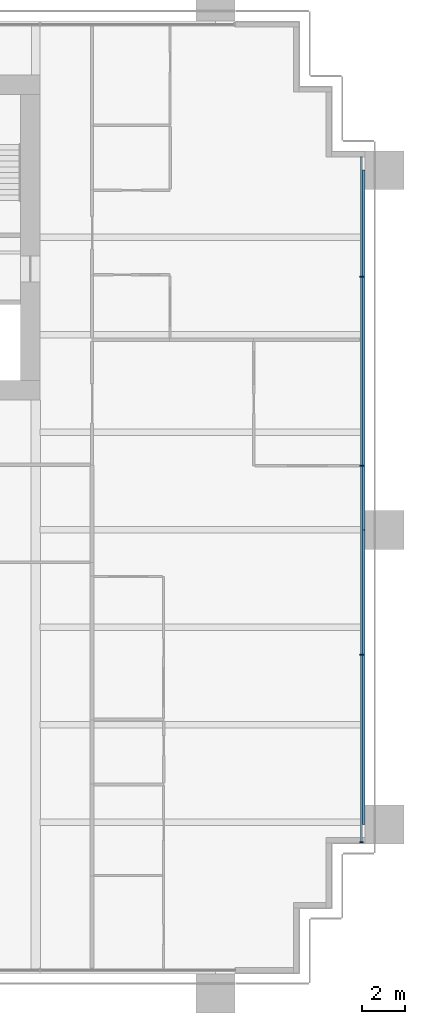
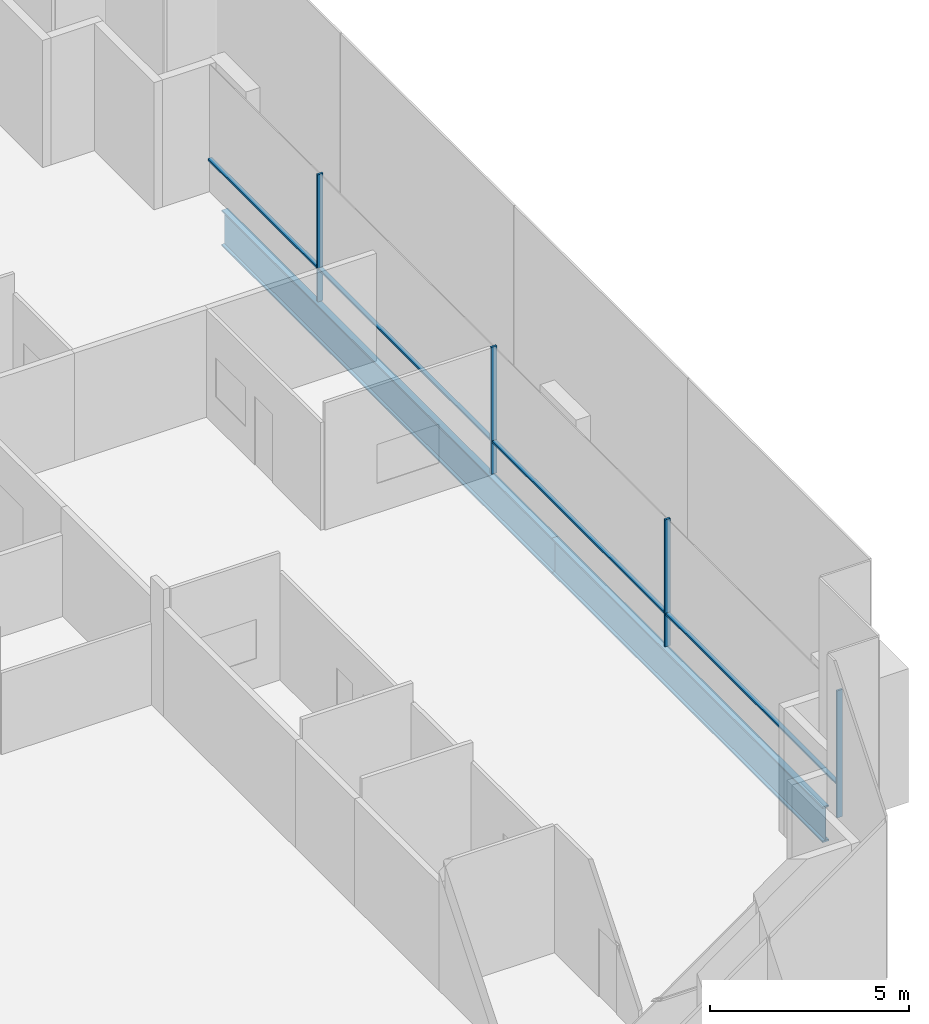
# One storey, part 9 of 18: 8 members, 2 beams, 1 element without a shape of its own.
"""IFC4 building model written with IfcOpenShell, lengths in metres."""

from ifc_helpers import new_model, si_unit, direction, frame, origin, origin_2d, place, context, subcontext, project, spatial, rectangle, i_section, extrude, material, material_profile, profile_set, type_object, element, aggregate, save


model = new_model("IFC4")

# Units and contexts
model_context = context("Model", 3, precision=1e-05, world=origin(), true_north=direction((0.0, 1.0)))
body_context = subcontext(model_context, "Body", "Model", "MODEL_VIEW")
ifc_project = project(units=[si_unit("LENGTHUNIT", "METRE"), si_unit("AREAUNIT", "SQUARE_METRE"), si_unit("VOLUMEUNIT", "CUBIC_METRE"), si_unit("PLANEANGLEUNIT", "RADIAN"), si_unit("MASSUNIT", "GRAM", prefix="KILO")], contexts=[model_context])

# Site, building, storey
site_placement = place(None, origin())
site = spatial("IfcSite", under=ifc_project, at=site_placement, CompositionType="ELEMENT")
building_placement = place(site_placement, origin())
building = spatial("IfcBuilding", under=site, at=building_placement, Name="Rattan Terrace Tower", CompositionType="ELEMENT")
storey_placement = place(building_placement, frame((0.0, 0.0, 32.39990234375)))
storey = spatial("IfcBuildingStorey", under=building, at=storey_placement, Name="L06", CompositionType="ELEMENT", Elevation=32.39990234375)

# Curtain wall, members
ifc_material_1 = material(Name="Aluminium and glass", Category="aluminium")
curtain_wall_type = type_object("IfcCurtainWallType", Name="Facade Unitised Curtain Wall", PredefinedType="NOTDEFINED", material=ifc_material_1)
curtain_wall_placement = place(storey_placement, origin())
curtain_wall = element("IfcCurtainWall", 1, at=curtain_wall_placement, inside=storey, type_object=curtain_wall_type, Name="Curtain wall L06-1", PredefinedType="NOTDEFINED")
ifc_material_2 = material(Name="Aluminium", Category="aluminium")
ifc_material_profile_1 = material_profile(ifc_material_2, rectangle(XDim=0.06005859375, YDim=0.159912109375, at=origin_2d()), Name="Aluminium 60x160")
ifc_profile_set_1 = profile_set([ifc_material_profile_1], Name="Aluminium")
member_type_1 = type_object("IfcMemberType", Name="Facade CW Mullion 60x160", PredefinedType="MULLION", material=ifc_profile_set_1)
member_1_placement = place(storey_placement, frame((32.830078125, -27.925048828125, 0.0), z_axis=(0.0, 0.0, 1.0), x_axis=(0.0, 1.0, 0.0)))
member_1 = element("IfcMember", 2, at=member_1_placement, type_object=member_type_1, Name="Mullion cwl-L06-001.1", PredefinedType="MULLION", context=body_context, shape_type="SweptSolid", body=[
    extrude(rectangle(XDim=0.06005859375, YDim=0.159912109375, at=origin_2d()), origin(), (0.0, 0.0, 1.0), 3.900146484375),
])
member_2_placement = place(storey_placement, frame((32.830078125, -19.27294921875, 0.0), z_axis=(0.0, 0.0, 1.0), x_axis=(0.0, 1.0, 0.0)))
member_2 = element("IfcMember", 3, at=member_2_placement, type_object=member_type_1, Name="Mullion cwl-L06-001.2", PredefinedType="MULLION", context=body_context, shape_type="SweptSolid", body=[
    extrude(rectangle(XDim=0.06005859375, YDim=0.159912109375, at=origin_2d()), origin(), (0.0, 0.0, 1.0), 3.900146484375),
])
member_3_placement = place(storey_placement, frame((32.830078125, -10.5458984375, 0.0), z_axis=(0.0, 0.0, 1.0), x_axis=(0.0, 1.0, 0.0)))
member_3 = element("IfcMember", 4, at=member_3_placement, type_object=member_type_1, Name="Mullion cwl-L06-001.3", PredefinedType="MULLION", context=body_context, shape_type="SweptSolid", body=[
    extrude(rectangle(XDim=0.06005859375, YDim=0.159912109375, at=origin_2d()), origin(), (0.0, 0.0, 1.0), 3.900146484375),
])
member_4_placement = place(storey_placement, frame((32.830078125, -1.819091796875, 0.0), z_axis=(0.0, 0.0, 1.0), x_axis=(0.0, 1.0, 0.0)))
member_4 = element("IfcMember", 5, at=member_4_placement, type_object=member_type_1, Name="Mullion cwl-L06-001.4", PredefinedType="MULLION", context=body_context, shape_type="SweptSolid", body=[
    extrude(rectangle(XDim=0.06005859375, YDim=0.159912109375, at=origin_2d()), origin(), (0.0, 0.0, 1.0), 3.900146484375),
])
ifc_material_3 = material(Name="Aluminium", Category="aluminium")
ifc_material_profile_2 = material_profile(ifc_material_3, rectangle(XDim=0.1201171875, YDim=0.06005859375, at=origin_2d()), Name="Aluminium 120x60")
ifc_profile_set_2 = profile_set([ifc_material_profile_2], Name="Aluminium")
member_type_2 = type_object("IfcMemberType", Name="Facade CW Transom 120x60", PredefinedType="USERDEFINED", material=ifc_profile_set_2)
member_5_placement = place(storey_placement, frame((32.830078125, -27.89501953125, 1.0), z_axis=(0.0, 1.0, 0.0), x_axis=(-1.0, 0.0, 0.0)))
member_5 = element("IfcMember", 6, at=member_5_placement, type_object=member_type_2, Name="Transom cwl-L06-001.1", ObjectType="TRANSOM", PredefinedType="USERDEFINED", context=body_context, shape_type="SweptSolid", body=[
    extrude(rectangle(XDim=0.1201171875, YDim=0.06005859375, at=origin_2d()), origin(), (0.0, 0.0, 1.0), 8.592041015625),
])
member_6_placement = place(storey_placement, frame((32.830078125, -19.242919921875, 1.0), z_axis=(0.0, 1.0, 0.0), x_axis=(-1.0, 0.0, 0.0)))
member_6 = element("IfcMember", 7, at=member_6_placement, type_object=member_type_2, Name="Transom cwl-L06-001.2", ObjectType="TRANSOM", PredefinedType="USERDEFINED", context=body_context, shape_type="SweptSolid", body=[
    extrude(rectangle(XDim=0.1201171875, YDim=0.06005859375, at=origin_2d()), origin(), (0.0, 0.0, 1.0), 8.6669921875),
])
member_7_placement = place(storey_placement, frame((32.830078125, -10.51611328125, 1.0), z_axis=(0.0, 1.0, 0.0), x_axis=(-1.0, 0.0, 0.0)))
member_7 = element("IfcMember", 8, at=member_7_placement, type_object=member_type_2, Name="Transom cwl-L06-001.3", ObjectType="TRANSOM", PredefinedType="USERDEFINED", context=body_context, shape_type="SweptSolid", body=[
    extrude(rectangle(XDim=0.1201171875, YDim=0.06005859375, at=origin_2d()), origin(), (0.0, 0.0, 1.0), 8.6669921875),
])
member_8_placement = place(storey_placement, frame((32.830078125, -1.7890625, 1.0), z_axis=(0.0, 1.0, 0.0), x_axis=(-1.0, 0.0, 0.0)))
member_8 = element("IfcMember", 9, at=member_8_placement, type_object=member_type_2, Name="Transom cwl-L06-001.4", ObjectType="TRANSOM", PredefinedType="USERDEFINED", context=body_context, shape_type="SweptSolid", body=[
    extrude(rectangle(XDim=0.1201171875, YDim=0.06005859375, at=origin_2d()), origin(), (0.0, 0.0, 1.0), 5.494140625),
])
aggregate(curtain_wall, [member_1, member_2, member_3, member_4, member_5, member_6, member_7, member_8])

# Beams
ifc_material_4 = material(Name="Steel S460", Category="steel")
ifc_material_profile_3 = material_profile(ifc_material_4, i_section(OverallWidth=0.179931640625, OverallDepth=1.10009765625, WebThickness=0.01611328125, FlangeThickness=0.050048828125, at=origin_2d()), Name="PG 1100x180-16-50")
ifc_profile_set_3 = profile_set([ifc_material_profile_3], Name="Steel S460")
beam_type = type_object("IfcBeamType", Name="Frame edge girder PG 1100x180-16-50", PredefinedType="SPANDREL", material=ifc_profile_set_3)
beam_1_placement = place(storey_placement, frame((32.909912109375, -27.10009765625, -0.75), z_axis=(0.0, 1.0, 0.0), x_axis=(-1.0, 0.0, 0.0)))
element("IfcBeam", 10, at=beam_1_placement, inside=storey, type_object=beam_type, Name="gdr-L06-005", PredefinedType="SPANDREL", context=body_context, shape_type="SweptSolid", body=[
    extrude(i_section(OverallWidth=0.179931640625, OverallDepth=1.10009765625, WebThickness=0.01611328125, FlangeThickness=0.050048828125, at=origin_2d()), origin(), (0.0, 0.0, 1.0), 13.60009765625),
])
beam_2_placement = place(storey_placement, frame((32.909912109375, -13.5, -0.75), z_axis=(0.0, 1.0, 0.0), x_axis=(-1.0, 0.0, 0.0)))
element("IfcBeam", 11, at=beam_2_placement, inside=storey, type_object=beam_type, Name="gdr-L06-007", PredefinedType="SPANDREL", context=body_context, shape_type="SweptSolid", body=[
    extrude(i_section(OverallWidth=0.179931640625, OverallDepth=1.10009765625, WebThickness=0.01611328125, FlangeThickness=0.050048828125, at=origin_2d()), origin(), (0.0, 0.0, 1.0), 16.60009765625),
])

save(model, "model.ifc")
